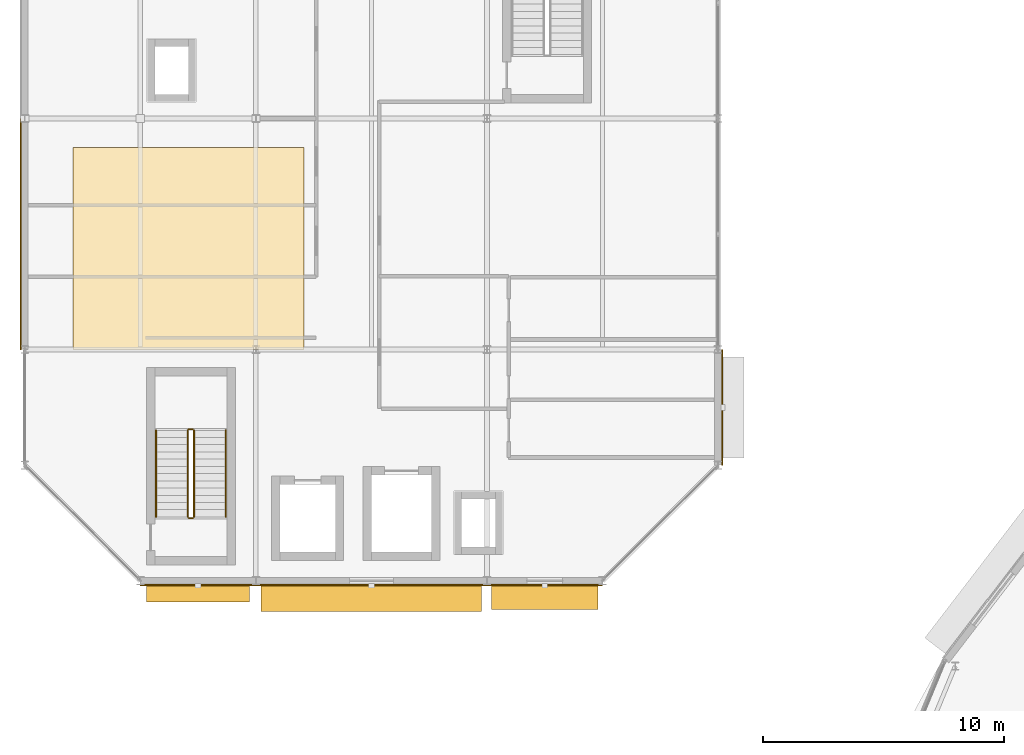
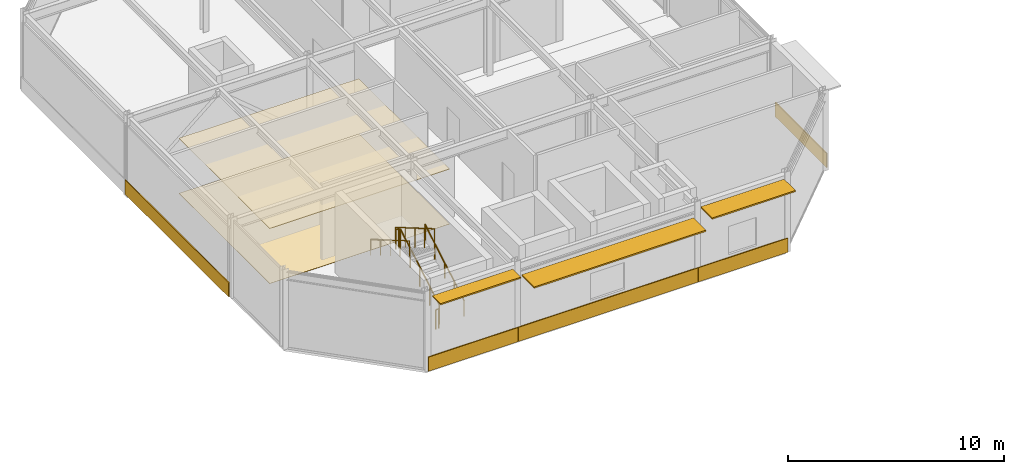
# One storey, part 78 of 89: 7 coverings, 6 railings, 3 shading devices.
"""IFC4 building model written with IfcOpenShell, lengths in metres."""

from ifc_helpers import new_model, si_unit, direction, frame, origin, origin_2d, place, context, subcontext, project, spatial, polyline, rectangle, circle, outline, extrude, material, layer, layer_set, type_object, element, save


model = new_model("IFC4")

# Units and contexts
model_context = context("Model", 3, precision=1e-05, world=origin(), true_north=direction((0.0, 1.0)))
body_context = subcontext(model_context, "Body", "Model", "MODEL_VIEW")
ifc_project = project(units=[si_unit("LENGTHUNIT", "METRE"), si_unit("AREAUNIT", "SQUARE_METRE"), si_unit("VOLUMEUNIT", "CUBIC_METRE"), si_unit("PLANEANGLEUNIT", "RADIAN"), si_unit("MASSUNIT", "GRAM", prefix="KILO")], contexts=[model_context])

# Site, building, storey
site_placement = place(None, origin())
site = spatial("IfcSite", under=ifc_project, at=site_placement, CompositionType="ELEMENT")
building_placement = place(site_placement, origin())
building = spatial("IfcBuilding", under=site, at=building_placement, Name="Almandine Court Research Institute", CompositionType="ELEMENT")
storey_placement = place(building_placement, frame((0.0, 0.0, 18.89990234375)))
storey = spatial("IfcBuildingStorey", under=building, at=storey_placement, Name="L04", CompositionType="ELEMENT", Elevation=18.89990234375)

# Coverings
ifc_material_1 = material(Name="Mineral Fibre Acoustic Suspended Ceiling Tile")
ifc_layer_1 = layer(ifc_material_1, 0.02490234375)
ifc_layer_set_1 = layer_set([ifc_layer_1], Name="Mineral Fibre Acoustic Suspended Ceiling Tile")
covering_type_1 = type_object("IfcCoveringType", Name="Cov-CEIL-ACOU", PredefinedType="CEILING", material=ifc_layer_set_1)
covering_1_placement = place(storey_placement, frame((0.0, 0.0, 3.10009765625)))
element("IfcCovering", 1, at=covering_1_placement, inside=storey, type_object=covering_type_1, Name="L04 Cleanroom and Laboratory Suspended Ceiling", PredefinedType="CEILING", context=body_context, shape_type="SweptSolid", body=[
    extrude(outline(polyline([(8.0, 93.60009765625), (17.60009765625, 93.60009765625), (17.60009765625, 102.0), (8.0, 102.0), (8.0, 93.60009765625)])), origin(), (0.0, 0.0, 1.0), 0.02490234375),
])
ifc_material_2 = material(Name="Extruded Cream-Ochre Seismic Terracotta Spandrel", Category="masonry")
ifc_layer_2 = layer(ifc_material_2, 0.054931640625)
ifc_layer_set_2 = layer_set([ifc_layer_2], Name="Extruded Cream-Ochre Seismic Terracotta Spandrel")
covering_type_2 = type_object("IfcCoveringType", Name="Cov-CLAD-TERR", PredefinedType="CLADDING", material=ifc_layer_set_2)
covering_2_placement = place(storey_placement, frame((5.830078125, 98.39990234375, 0.02001953125), z_axis=(0.0, 0.0, 1.0), x_axis=(0.0, 1.0, 0.0)))
element("IfcCovering", 2, at=covering_2_placement, inside=storey, type_object=covering_type_2, Name="L04 Facade Spandrel Cladding Band 76", PredefinedType="CLADDING", context=body_context, shape_type="SweptSolid", body=[
    extrude(rectangle(XDim=9.592041015625, YDim=0.054931640625, at=origin_2d()), origin(), (0.0, 0.0, 1.0), 0.800048828125),
])
for number, where, z_axis, x_axis, name in (
    (3, (34.969970703125, 91.199951171875, 0.02001953125), (0.0, 0.0, 1.0), (0.0, -1.0, 0.0), "L04 Facade Spandrel Cladding Band 81"),
    (4, (27.60009765625, 83.8291015625, 0.02001953125), (0.0, 0.0, 1.0), (-1.0, 0.0, 0.0), "L04 Facade Spandrel Cladding Band 82"),
):
    element("IfcCovering", number, at=place(storey_placement, frame(where, z_axis=z_axis, x_axis=x_axis)), inside=storey, type_object=covering_type_2, Name=name, PredefinedType="CLADDING", context=body_context, shape_type="SweptSolid", body=[
        extrude(rectangle(XDim=4.7919921875, YDim=0.054931640625, at=origin_2d()), origin(), (0.0, 0.0, 1.0), 0.800048828125),
    ])
covering_3_placement = place(storey_placement, frame((20.39990234375, 83.8291015625, 0.02001953125), z_axis=(0.0, 0.0, 1.0), x_axis=(-1.0, 0.0, 0.0)))
element("IfcCovering", 5, at=covering_3_placement, inside=storey, type_object=covering_type_2, Name="L04 Facade Spandrel Cladding Band 83", PredefinedType="CLADDING", context=body_context, shape_type="SweptSolid", body=[
    extrude(rectangle(XDim=9.592041015625, YDim=0.054931640625, at=origin_2d()), origin(), (0.0, 0.0, 1.0), 0.800048828125),
])
covering_4_placement = place(storey_placement, frame((13.199951171875, 83.8291015625, 0.02001953125), z_axis=(0.0, 0.0, 1.0), x_axis=(-1.0, 0.0, 0.0)))
element("IfcCovering", 6, at=covering_4_placement, inside=storey, type_object=covering_type_2, Name="L04 Facade Spandrel Cladding Band 84", PredefinedType="CLADDING", context=body_context, shape_type="SweptSolid", body=[
    extrude(rectangle(XDim=4.7919921875, YDim=0.054931640625, at=origin_2d()), origin(), (0.0, 0.0, 1.0), 0.800048828125),
])
ifc_material_3 = material(Name="Seamless Chemical-Resistant Cleanroom Epoxy Flooring")
ifc_layer_3 = layer(ifc_material_3, 0.011962890625)
ifc_layer_set_3 = layer_set([ifc_layer_3], Name="Seamless Chemical-Resistant Cleanroom Epoxy Flooring")
covering_type_3 = type_object("IfcCoveringType", Name="Cov-FLR-EPOXY", PredefinedType="FLOORING", material=ifc_layer_set_3)
covering_5_placement = place(storey_placement, origin())
element("IfcCovering", 7, at=covering_5_placement, inside=storey, type_object=covering_type_3, Name="L04 Cleanroom Seamless Epoxy Flooring", PredefinedType="FLOORING", context=body_context, shape_type="SweptSolid", body=[
    extrude(outline(polyline([(8.0, 93.60009765625), (17.60009765625, 93.60009765625), (17.60009765625, 102.0), (8.0, 102.0), (8.0, 93.60009765625)])), origin(), (0.0, 0.0, 1.0), 0.01220703125),
])

# Railings
ifc_material_4 = material(Name="Powder-Coated Steel Stair and Atrium Balustrade", Category="steel")
railing_type_1 = type_object("IfcRailingType", Name="Rail-GUARD-INT", PredefinedType="BALUSTRADE", material=ifc_material_4)
railing_1_placement = place(storey_placement, frame((13.030029296875, 86.64990234375, 0.175048828125)))
element("IfcRailing", 8, at=railing_1_placement, inside=storey, type_object=railing_type_1, Name="L04 ST-05 stair guard 1", PredefinedType="BALUSTRADE", context=body_context, shape_type="SweptSolid", body=[
    extrude(circle(Radius=0.02392578125, at=origin_2d()), frame((0.0, 0.0, 1.09619140625), z_axis=(0.0, 0.863774651768, 0.503878309678), x_axis=(-1.0, 0.0, 0.0)), (0.0, 0.0, 1.0), 4.16796875),
    extrude(circle(Radius=0.02099609375, at=origin_2d()), origin(), (0.0, 0.0, 1.0), 1.072021484375),
    extrude(circle(Radius=0.02099609375, at=origin_2d()), frame((0.0, 0.89990234375, 0.52490234375)), (0.0, 0.0, 1.0), 1.072021484375),
    extrude(circle(Radius=0.02099609375, at=origin_2d()), frame((0.0, 1.800048828125, 1.050048828125)), (0.0, 0.0, 1.0), 1.072021484375),
    extrude(circle(Radius=0.02099609375, at=origin_2d()), frame((0.0, 2.7001953125, 1.5751953125)), (0.0, 0.0, 1.0), 1.072021484375),
    extrude(circle(Radius=0.02099609375, at=origin_2d()), frame((0.0, 3.60009765625, 2.10009765625)), (0.0, 0.0, 1.0), 1.072021484375),
])
railing_2_placement = place(storey_placement, frame((12.97998046875, 90.300048828125, 2.275146484375)))
element("IfcRailing", 9, at=railing_2_placement, inside=storey, type_object=railing_type_1, Name="L04 ST-05 stair guard 2", PredefinedType="BALUSTRADE", context=body_context, shape_type="SweptSolid", body=[
    extrude(circle(Radius=0.02392578125, at=origin_2d()), frame((0.0, 0.0, 1.09619140625), z_axis=(-1.0, 0.0, 0.0), x_axis=(0.0, -1.0, 0.0)), (0.0, 0.0, 1.0), 0.159912109375),
    extrude(circle(Radius=0.02099609375, at=origin_2d()), origin(), (0.0, 0.0, 1.0), 1.072021484375),
    extrude(circle(Radius=0.02099609375, at=origin_2d()), frame((-0.159912109375, 0.0, 0.0)), (0.0, 0.0, 1.0), 1.072021484375),
])
railing_3_placement = place(storey_placement, frame((12.77001953125, 90.25, 2.4501953125)))
element("IfcRailing", 10, at=railing_3_placement, inside=storey, type_object=railing_type_1, Name="L04 ST-05 stair guard 3", PredefinedType="BALUSTRADE", context=body_context, shape_type="SweptSolid", body=[
    extrude(circle(Radius=0.02392578125, at=origin_2d()), frame((0.0, 0.0, 1.09619140625), z_axis=(0.0, -0.863800146258, 0.503834603144), x_axis=(1.0, 0.0, 0.0)), (0.0, 0.0, 1.0), 4.167724609375),
    extrude(circle(Radius=0.02099609375, at=origin_2d()), origin(), (0.0, 0.0, 1.0), 1.072021484375),
    extrude(circle(Radius=0.02099609375, at=origin_2d()), frame((0.0, -0.89990234375, 0.52490234375)), (0.0, 0.0, 1.0), 1.072021484375),
    extrude(circle(Radius=0.02099609375, at=origin_2d()), frame((0.0, -1.800048828125, 1.0498046875)), (0.0, 0.0, 1.0), 1.072021484375),
    extrude(circle(Radius=0.02099609375, at=origin_2d()), frame((0.0, -2.7001953125, 1.574951171875)), (0.0, 0.0, 1.0), 1.072021484375),
    extrude(circle(Radius=0.02099609375, at=origin_2d()), frame((0.0, -3.60009765625, 2.099853515625)), (0.0, 0.0, 1.0), 1.072021484375),
])
railing_4_placement = place(storey_placement, frame((12.97998046875, 86.60009765625, 0.0)))
element("IfcRailing", 11, at=railing_4_placement, inside=storey, type_object=railing_type_1, Name="L04 ST-05 stair guard 4", PredefinedType="BALUSTRADE", context=body_context, shape_type="SweptSolid", body=[
    extrude(circle(Radius=0.02392578125, at=origin_2d()), frame((0.0, 0.0, 1.09619140625), z_axis=(-1.0, 0.0, 0.0), x_axis=(0.0, -1.0, 0.0)), (0.0, 0.0, 1.0), 0.159912109375),
    extrude(circle(Radius=0.02099609375, at=origin_2d()), origin(), (0.0, 0.0, 1.0), 1.072021484375),
    extrude(circle(Radius=0.02099609375, at=origin_2d()), frame((-0.159912109375, 0.0, 0.0)), (0.0, 0.0, 1.0), 1.072021484375),
])
ifc_material_5 = material(Name="Brushed Stainless Steel Wall Handrail", Category="steel")
railing_type_2 = type_object("IfcRailingType", Name="Rail-HAND-INT", PredefinedType="HANDRAIL", material=ifc_material_5)
railing_5_placement = place(storey_placement, frame((14.35009765625, 86.64990234375, 0.175048828125)))
element("IfcRailing", 12, at=railing_5_placement, inside=storey, type_object=railing_type_2, Name="L04 ST-05 stair handrail 1", PredefinedType="HANDRAIL", context=body_context, shape_type="SweptSolid", body=[
    extrude(circle(Radius=0.02392578125, at=origin_2d()), frame((0.0, 0.0, 0.8759765625), z_axis=(0.0, 0.863774651768, 0.503878309678), x_axis=(-1.0, 0.0, 0.0)), (0.0, 0.0, 1.0), 4.16796875),
    extrude(circle(Radius=0.02099609375, at=origin_2d()), origin(), (0.0, 0.0, 1.0), 0.851806640625),
    extrude(circle(Radius=0.02099609375, at=origin_2d()), frame((0.0, 0.89990234375, 0.52490234375)), (0.0, 0.0, 1.0), 0.851806640625),
    extrude(circle(Radius=0.02099609375, at=origin_2d()), frame((0.0, 1.800048828125, 1.050048828125)), (0.0, 0.0, 1.0), 0.851806640625),
    extrude(circle(Radius=0.02099609375, at=origin_2d()), frame((0.0, 2.7001953125, 1.5751953125)), (0.0, 0.0, 1.0), 0.851806640625),
    extrude(circle(Radius=0.02099609375, at=origin_2d()), frame((0.0, 3.60009765625, 2.10009765625)), (0.0, 0.0, 1.0), 0.851806640625),
])
railing_6_placement = place(storey_placement, frame((11.449951171875, 90.25, 2.4501953125)))
element("IfcRailing", 13, at=railing_6_placement, inside=storey, type_object=railing_type_2, Name="L04 ST-05 stair handrail 2", PredefinedType="HANDRAIL", context=body_context, shape_type="SweptSolid", body=[
    extrude(circle(Radius=0.02392578125, at=origin_2d()), frame((0.0, 0.0, 0.8759765625), z_axis=(0.0, -0.863800146258, 0.503834603144), x_axis=(1.0, 0.0, 0.0)), (0.0, 0.0, 1.0), 4.167724609375),
    extrude(circle(Radius=0.02099609375, at=origin_2d()), origin(), (0.0, 0.0, 1.0), 0.851806640625),
    extrude(circle(Radius=0.02099609375, at=origin_2d()), frame((0.0, -0.89990234375, 0.52490234375)), (0.0, 0.0, 1.0), 0.851806640625),
    extrude(circle(Radius=0.02099609375, at=origin_2d()), frame((0.0, -1.800048828125, 1.0498046875)), (0.0, 0.0, 1.0), 0.851806640625),
    extrude(circle(Radius=0.02099609375, at=origin_2d()), frame((0.0, -2.7001953125, 1.574951171875)), (0.0, 0.0, 1.0), 0.851806640625),
    extrude(circle(Radius=0.02099609375, at=origin_2d()), frame((0.0, -3.60009765625, 2.099853515625)), (0.0, 0.0, 1.0), 0.851806640625),
])

# Shading devices
ifc_material_6 = material(Name="Precast GFRC Chhajja Sunshade and Acoustic Louvre", Category="concrete")
ifc_layer_4 = layer(ifc_material_6, 0.080078125)
ifc_layer_set_4 = layer_set([ifc_layer_4], Name="Precast GFRC Chhajja Sunshade and Acoustic Louvre")
shading_device_type_1 = type_object("IfcShadingDeviceType", Name="Shd-SD-07", PredefinedType="AWNING", material=ifc_layer_set_4)
shading_device_1_placement = place(storey_placement, frame((27.60009765625, 83.340087890625, 4.090087890625), z_axis=(0.0, 0.0, 1.0), x_axis=(-1.0, 0.0, 0.0)))
element("IfcShadingDevice", 14, at=shading_device_1_placement, inside=storey, type_object=shading_device_type_1, Name="L04 Projecting Chhajja Sunshade 48", PredefinedType="AWNING", context=body_context, shape_type="SweptSolid", body=[
    extrude(rectangle(XDim=4.44189453125, YDim=1.050048828125, at=origin_2d()), origin(), (0.0, 0.0, 1.0), 0.080078125),
])
ifc_layer_5 = layer(ifc_material_6, 0.080078125)
ifc_layer_set_5 = layer_set([ifc_layer_5], Name="Precast GFRC Chhajja Sunshade and Acoustic Louvre")
shading_device_type_2 = type_object("IfcShadingDeviceType", Name="Shd-SD-08", PredefinedType="AWNING", material=ifc_layer_set_5)
shading_device_2_placement = place(storey_placement, frame((20.39990234375, 83.2900390625, 3.60400390625), z_axis=(0.0, 0.0, 1.0), x_axis=(-1.0, 0.0, 0.0)))
element("IfcShadingDevice", 15, at=shading_device_2_placement, inside=storey, type_object=shading_device_type_2, Name="L04 Projecting Chhajja Sunshade 49", PredefinedType="AWNING", context=body_context, shape_type="SweptSolid", body=[
    extrude(rectangle(XDim=9.162109375, YDim=1.14990234375, at=origin_2d()), origin(), (0.0, 0.0, 1.0), 0.080078125),
])
ifc_layer_6 = layer(ifc_material_6, 0.080078125)
ifc_layer_set_6 = layer_set([ifc_layer_6], Name="Precast GFRC Chhajja Sunshade and Acoustic Louvre")
shading_device_type_3 = type_object("IfcShadingDeviceType", Name="Shd-SD-09", PredefinedType="AWNING", material=ifc_layer_set_6)
shading_device_3_placement = place(storey_placement, frame((13.199951171875, 83.489990234375, 4.090087890625), z_axis=(0.0, 0.0, 1.0), x_axis=(-1.0, 0.0, 0.0)))
element("IfcShadingDevice", 16, at=shading_device_3_placement, inside=storey, type_object=shading_device_type_3, Name="L04 Projecting Chhajja Sunshade 50", PredefinedType="AWNING", context=body_context, shape_type="SweptSolid", body=[
    extrude(rectangle(XDim=4.281982421875, YDim=0.75, at=origin_2d()), origin(), (0.0, 0.0, 1.0), 0.080078125),
])

save(model, "model.ifc")
